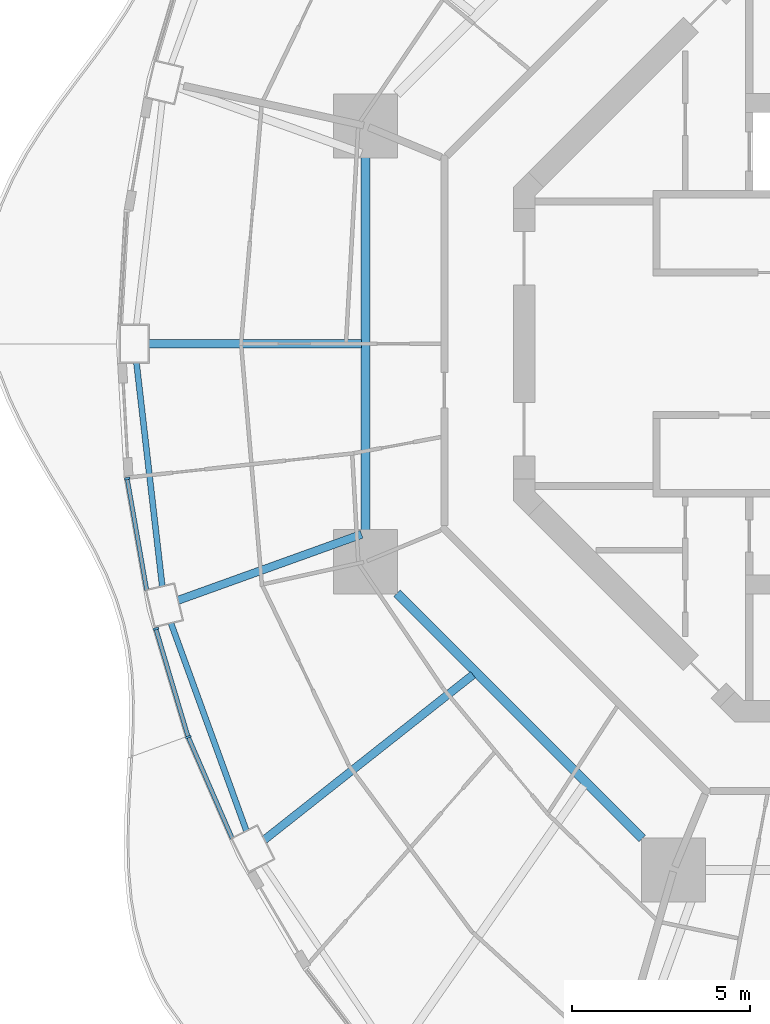
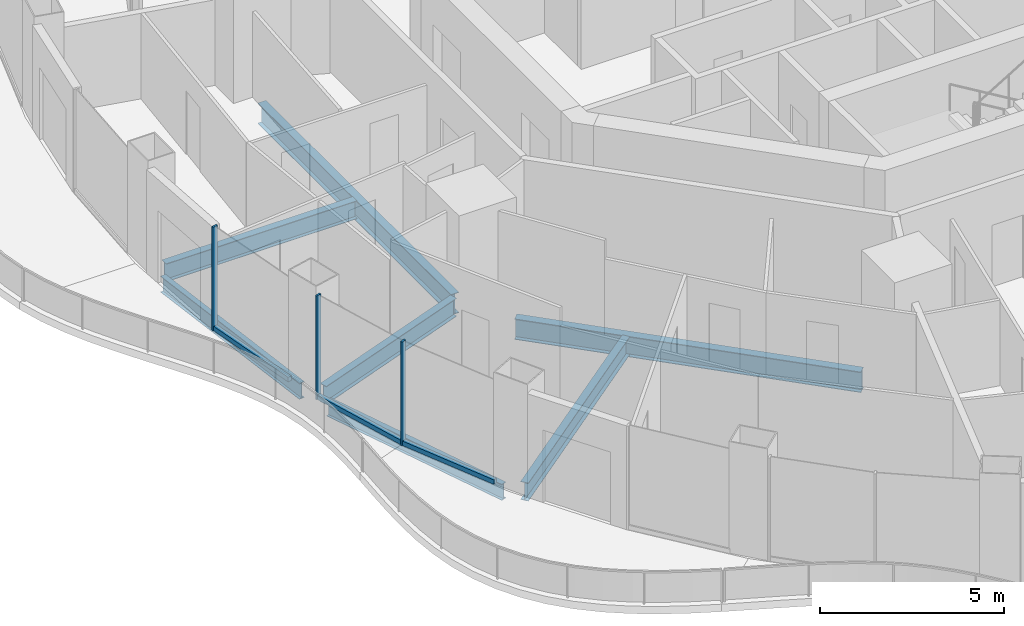
# One storey, part 3 of 19: 7 beams, 6 members, 3 elements without a shape of their own.
"""IFC4 building model written with IfcOpenShell, lengths in metres."""

from ifc_helpers import new_model, si_unit, direction, frame, origin, origin_2d, place, context, subcontext, project, spatial, rectangle, i_section, extrude, material, layer, layer_set, material_profile, profile_set, type_object, element, aggregate, save


model = new_model("IFC4")

# Units and contexts
model_context = context("Model", 3, precision=1e-05, world=origin(), true_north=direction((0.0, 1.0)))
body_context = subcontext(model_context, "Body", "Model", "MODEL_VIEW")
ifc_project = project(units=[si_unit("LENGTHUNIT", "METRE"), si_unit("AREAUNIT", "SQUARE_METRE"), si_unit("VOLUMEUNIT", "CUBIC_METRE"), si_unit("PLANEANGLEUNIT", "RADIAN"), si_unit("MASSUNIT", "GRAM", prefix="KILO")], contexts=[model_context])

# Site, building, storey
site_placement = place(None, origin())
site = spatial("IfcSite", under=ifc_project, at=site_placement, CompositionType="ELEMENT")
building_placement = place(site_placement, origin())
building = spatial("IfcBuilding", under=site, at=building_placement, Name="Nagisa Residences", CompositionType="ELEMENT")
storey_placement = place(building_placement, frame((0.0, 0.0, 169.60009765625)))
storey = spatial("IfcBuildingStorey", under=building, at=storey_placement, Name="L42", CompositionType="ELEMENT", Elevation=169.60009765625)

# Curtain wall, member
ifc_material_1 = material(Name="Concrete-coloured aluminium curtain wall system", Category="concrete")
ifc_layer = layer(ifc_material_1, 0.159912109375)
ifc_layer_set = layer_set([ifc_layer], Name="CW1 CURTAIN WALL")
curtain_wall_type = type_object("IfcCurtainWallType", Name="CW1 CURTAIN WALL", PredefinedType="NOTDEFINED", material=ifc_layer_set)
curtain_wall_1_placement = place(storey_placement, origin())
curtain_wall_1 = element("IfcCurtainWall", 1, at=curtain_wall_1_placement, inside=storey, type_object=curtain_wall_type, Name="cw:CW1:L42:25", PredefinedType="NOTDEFINED")
ifc_material_2 = material(Name="Concrete-coloured aluminium", Category="concrete")
ifc_material_profile_1 = material_profile(ifc_material_2, rectangle(XDim=0.159912109375, YDim=0.06005859375, at=origin_2d()), Name="CW1 MULLION 160x60")
ifc_profile_set_1 = profile_set([ifc_material_profile_1], Name="Concrete-coloured aluminium")
member_type_1 = type_object("IfcMemberType", Name="CW1 MULLION 160x60", PredefinedType="MULLION", material=ifc_profile_set_1)
member_1_placement = place(storey_placement, frame((-21.473876953125, -3.78466796875, 0.0), z_axis=(0.0, 0.0, 1.0), x_axis=(0.985063604377, 0.172190868898, 0.0)))
member_1 = element("IfcMember", 2, at=member_1_placement, type_object=member_type_1, Name="CW1 mullion", PredefinedType="MULLION", context=body_context, shape_type="SweptSolid", body=[
    extrude(rectangle(XDim=0.159912109375, YDim=0.06005859375, at=origin_2d()), origin(), (0.0, 0.0, 1.0), 3.43994140625),
])

curtain_wall_2_placement = place(storey_placement, origin())
curtain_wall_2 = element("IfcCurtainWall", 3, at=curtain_wall_2_placement, inside=storey, type_object=curtain_wall_type, Name="cw:CW1:L42:26", PredefinedType="NOTDEFINED")
member_2_placement = place(storey_placement, frame((-20.66796875, -8.00634765625, 0.0), z_axis=(0.0, 0.0, 1.0), x_axis=(0.958271310082, 0.285860274038, 0.0)))
member_2 = element("IfcMember", 4, at=member_2_placement, type_object=member_type_1, Name="CW1 mullion", PredefinedType="MULLION", context=body_context, shape_type="SweptSolid", body=[
    extrude(rectangle(XDim=0.159912109375, YDim=0.06005859375, at=origin_2d()), origin(), (0.0, 0.0, 1.0), 3.43994140625),
])

curtain_wall_3_placement = place(storey_placement, origin())
curtain_wall_3 = element("IfcCurtainWall", 5, at=curtain_wall_3_placement, inside=storey, type_object=curtain_wall_type, Name="cw:CW1:L42:27", PredefinedType="NOTDEFINED")
member_3_placement = place(storey_placement, frame((-19.758056640625, -11.045654296875, 0.0), z_axis=(0.0, 0.0, 1.0), x_axis=(0.917543276295, 0.397635934147, 0.0)))
member_3 = element("IfcMember", 6, at=member_3_placement, type_object=member_type_1, Name="CW1 mullion", PredefinedType="MULLION", context=body_context, shape_type="SweptSolid", body=[
    extrude(rectangle(XDim=0.159912109375, YDim=0.06005859375, at=origin_2d()), origin(), (0.0, 0.0, 1.0), 3.43994140625),
])

# Member
ifc_material_3 = material(Name="Concrete-coloured aluminium", Category="concrete")
ifc_material_profile_2 = material_profile(ifc_material_3, rectangle(XDim=0.1201171875, YDim=0.14990234375, at=origin_2d()), Name="CW1 TRANSOM 120x150")
ifc_profile_set_2 = profile_set([ifc_material_profile_2], Name="Concrete-coloured aluminium")
member_type_2 = type_object("IfcMemberType", Name="CW1 TRANSOM 120x150", PredefinedType="USERDEFINED", material=ifc_profile_set_2)
member_4_placement = place(storey_placement, frame((-21.47900390625, -3.755126953125, 0.074951171875), z_axis=(0.172162664901, -0.98506853407, 0.0), x_axis=(0.98506853407, 0.172162664901, 0.0)))
member_4 = element("IfcMember", 7, at=member_4_placement, type_object=member_type_2, Name="CW1 transom", ObjectType="TRANSOM", PredefinedType="USERDEFINED", context=body_context, shape_type="SweptSolid", body=[
    extrude(rectangle(XDim=0.1201171875, YDim=0.14990234375, at=origin_2d()), origin(), (0.0, 0.0, 1.0), 3.21044921875),
])

aggregate(curtain_wall_1, [member_1, member_4])

member_5_placement = place(storey_placement, frame((-20.676513671875, -7.9775390625, 0.074951171875), z_axis=(0.28584838049, -0.958274857946, 0.0), x_axis=(0.958274857946, 0.28584838049, 0.0)))
member_5 = element("IfcMember", 8, at=member_5_placement, type_object=member_type_2, Name="CW1 transom", ObjectType="TRANSOM", PredefinedType="USERDEFINED", context=body_context, shape_type="SweptSolid", body=[
    extrude(rectangle(XDim=0.1201171875, YDim=0.14990234375, at=origin_2d()), origin(), (0.0, 0.0, 1.0), 3.182373046875),
])

aggregate(curtain_wall_2, [member_2, member_5])

member_6_placement = place(storey_placement, frame((-19.77001953125, -11.01806640625, 0.074951171875), z_axis=(0.397592173732, -0.917562239517, 0.0), x_axis=(0.917562239517, 0.397592173732, 0.0)))
member_6 = element("IfcMember", 9, at=member_6_placement, type_object=member_type_2, Name="CW1 transom", ObjectType="TRANSOM", PredefinedType="USERDEFINED", context=body_context, shape_type="SweptSolid", body=[
    extrude(rectangle(XDim=0.1201171875, YDim=0.14990234375, at=origin_2d()), origin(), (0.0, 0.0, 1.0), 3.14208984375),
])

aggregate(curtain_wall_3, [member_3, member_6])

# Beams
ifc_material_4 = material(Name="Steel ASTM A572 Gr 50", Category="steel")
ifc_material_profile_3 = material_profile(ifc_material_4, i_section(OverallWidth=0.25390625, OverallDepth=0.68408203125, WebThickness=0.012451171875, FlangeThickness=0.018798828125, at=origin_2d()), Name="W690x140")
ifc_profile_set_3 = profile_set([ifc_material_profile_3], Name="Steel ASTM A572 Gr 50")
beam_type_1 = type_object("IfcBeamType", Name="Inner ring beam W690x140", PredefinedType="BEAM", material=ifc_profile_set_3)
beam_1_placement = place(storey_placement, frame((-14.781982421875, 5.242919921875, -0.60205078125), z_axis=(0.0, -1.0, 0.0), x_axis=(1.0, 0.0, 0.0)))
element("IfcBeam", 10, at=beam_1_placement, inside=storey, type_object=beam_type_1, Name="beam:L42:ib4", PredefinedType="BEAM", context=body_context, shape_type="SweptSolid", body=[
    extrude(i_section(OverallWidth=0.25390625, OverallDepth=0.68408203125, WebThickness=0.012451171875, FlangeThickness=0.018798828125, at=origin_2d()), origin(), (0.0, 0.0, 1.0), 10.48583984375),
])
beam_2_placement = place(storey_placement, frame((-13.896240234375, -7.0087890625, -0.60205078125), z_axis=(0.707106781187, -0.707106781187, 0.0), x_axis=(0.707106781187, 0.707106781187, 0.0)))
element("IfcBeam", 11, at=beam_2_placement, inside=storey, type_object=beam_type_1, Name="beam:L42:ib5", PredefinedType="BEAM", context=body_context, shape_type="SweptSolid", body=[
    extrude(i_section(OverallWidth=0.25390625, OverallDepth=0.68408203125, WebThickness=0.012451171875, FlangeThickness=0.018798828125, at=origin_2d()), origin(), (0.0, 0.0, 1.0), 9.740234375),
])
ifc_material_5 = material(Name="Steel ASTM A572 Gr 50", Category="steel")
ifc_material_profile_4 = material_profile(ifc_material_5, i_section(OverallWidth=0.166015625, OverallDepth=0.534912109375, WebThickness=0.01025390625, FlangeThickness=0.0166015625, at=origin_2d()), Name="W530x85")
ifc_profile_set_4 = profile_set([ifc_material_profile_4], Name="Steel ASTM A572 Gr 50")
beam_type_2 = type_object("IfcBeamType", Name="Perimeter ring beam W530x85", PredefinedType="BEAM", material=ifc_profile_set_4)
beam_3_placement = place(storey_placement, frame((-21.2138671875, -0.530029296875, -0.527587890625), z_axis=(0.114670987431, -0.993403525583, 0.0), x_axis=(0.993403525583, 0.114670987431, 0.0)))
element("IfcBeam", 12, at=beam_3_placement, inside=storey, type_object=beam_type_2, Name="beam:L42:pb13", PredefinedType="BEAM", context=body_context, shape_type="SweptSolid", body=[
    extrude(i_section(OverallWidth=0.166015625, OverallDepth=0.534912109375, WebThickness=0.01025390625, FlangeThickness=0.0166015625, at=origin_2d()), origin(), (0.0, 0.0, 1.0), 6.325439453125),
])
beam_4_placement = place(storey_placement, frame((-20.2451171875, -7.845703125, -0.527587890625), z_axis=(0.341285525681, -0.939959674646, 0.0), x_axis=(0.939959674646, 0.341285525681, 0.0)))
element("IfcBeam", 13, at=beam_4_placement, inside=storey, type_object=beam_type_2, Name="beam:L42:pb14", PredefinedType="BEAM", context=body_context, shape_type="SweptSolid", body=[
    extrude(i_section(OverallWidth=0.166015625, OverallDepth=0.534912109375, WebThickness=0.01025390625, FlangeThickness=0.0166015625, at=origin_2d()), origin(), (0.0, 0.0, 1.0), 6.212890625),
])
ifc_material_6 = material(Name="Steel ASTM A572 Gr 50", Category="steel")
ifc_material_profile_5 = material_profile(ifc_material_6, i_section(OverallWidth=0.22802734375, OverallDepth=0.60302734375, WebThickness=0.010498046875, FlangeThickness=0.014892578125, at=origin_2d()), Name="W610x101")
ifc_profile_set_5 = profile_set([ifc_material_profile_5], Name="Steel ASTM A572 Gr 50")
beam_type_3 = type_object("IfcBeamType", Name="Radial beam W610x101", PredefinedType="BEAM", material=ifc_profile_set_5)
beam_5_placement = place(storey_placement, frame((-20.8701171875, 0.0, -0.5615234375), z_axis=(1.0, 0.0, 0.0), x_axis=(0.0, 1.0, 0.0)))
element("IfcBeam", 14, at=beam_5_placement, inside=storey, type_object=beam_type_3, Name="beam:L42:rb13", PredefinedType="BEAM", context=body_context, shape_type="SweptSolid", body=[
    extrude(i_section(OverallWidth=0.22802734375, OverallDepth=0.60302734375, WebThickness=0.010498046875, FlangeThickness=0.014892578125, at=origin_2d()), origin(), (0.0, 0.0, 1.0), 5.98095703125),
])
beam_6_placement = place(storey_placement, frame((-20.043701171875, -7.2060546875, -0.5615234375), z_axis=(0.941032808963, 0.338315315137, 0.0), x_axis=(-0.338315315137, 0.941032808963, 0.0)))
element("IfcBeam", 15, at=beam_6_placement, inside=storey, type_object=beam_type_3, Name="beam:L42:rb14", PredefinedType="BEAM", context=body_context, shape_type="SweptSolid", body=[
    extrude(i_section(OverallWidth=0.22802734375, OverallDepth=0.60302734375, WebThickness=0.010498046875, FlangeThickness=0.014892578125, at=origin_2d()), origin(), (0.0, 0.0, 1.0), 5.4765625),
])
beam_7_placement = place(storey_placement, frame((-17.617919921875, -13.930908203125, -0.5615234375), z_axis=(0.784411523752, 0.620240728593, 0.0), x_axis=(-0.620240728593, 0.784411523752, 0.0)))
element("IfcBeam", 16, at=beam_7_placement, inside=storey, type_object=beam_type_3, Name="beam:L42:rb15", PredefinedType="BEAM", context=body_context, shape_type="SweptSolid", body=[
    extrude(i_section(OverallWidth=0.22802734375, OverallDepth=0.60302734375, WebThickness=0.010498046875, FlangeThickness=0.014892578125, at=origin_2d()), origin(), (0.0, 0.0, 1.0), 7.4697265625),
])

save(model, "model.ifc")
